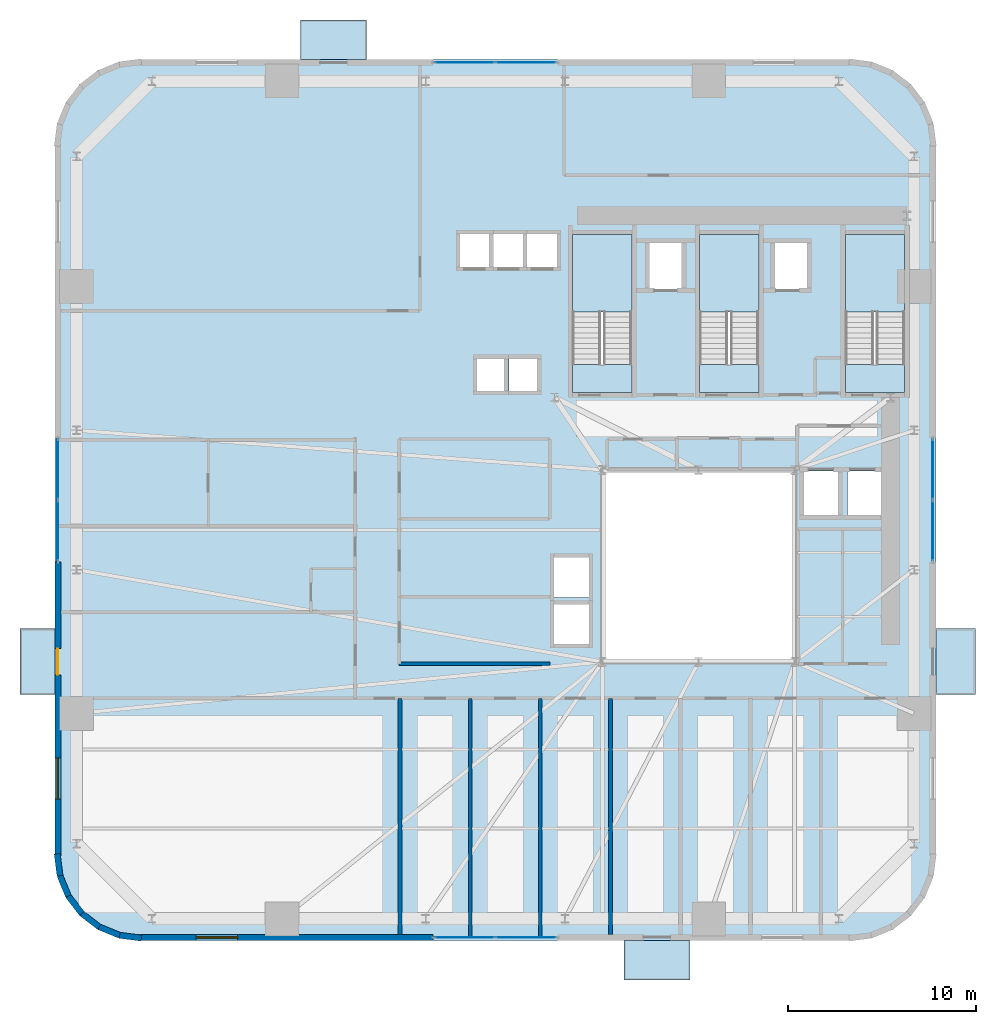
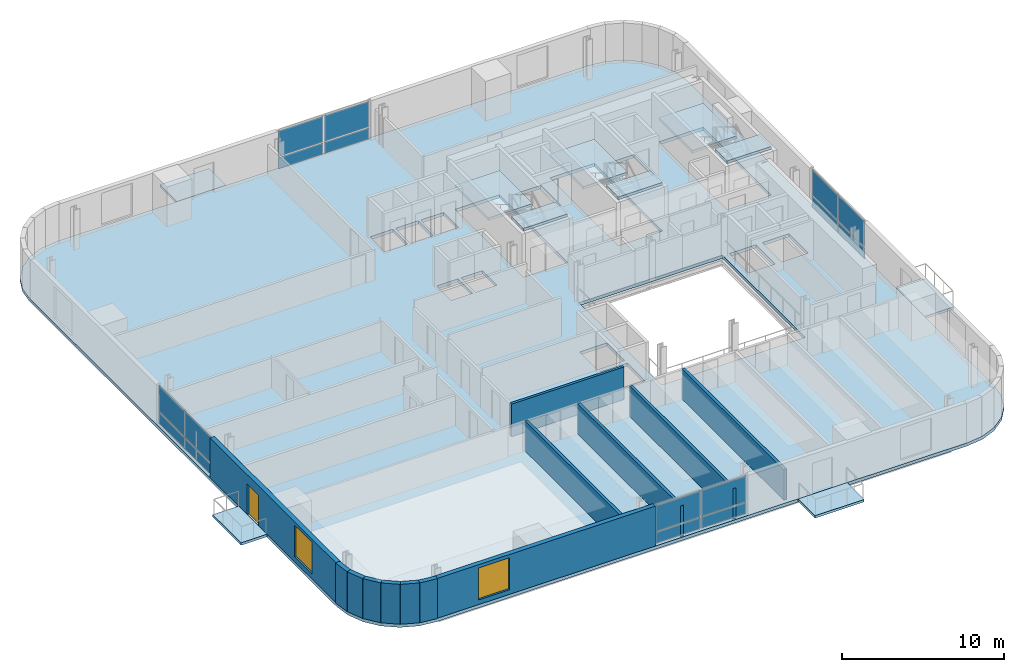
# One storey, part 5 of 13: 16 plates, 13 walls, 11 slabs, 2 windows, 1 door, 3 openings, 7 elements without a shape of their own.
"""IFC4 building model written with IfcOpenShell, lengths in metres."""

from ifc_helpers import new_model, si_unit, direction, frame, frame_2d, origin, origin_2d, place, context, subcontext, project, spatial, polyline, rectangle, outline, extrude, source, transform, mapped, material, layer, layer_set, type_object, element, fill, aggregate, save


model = new_model("IFC4")

# Units and contexts
model_context = context("Model", 3, precision=1e-05, world=origin(), true_north=direction((0.0, 1.0)))
body_context = subcontext(model_context, "Body", "Model", "MODEL_VIEW")
ifc_project = project(units=[si_unit("LENGTHUNIT", "METRE"), si_unit("AREAUNIT", "SQUARE_METRE"), si_unit("VOLUMEUNIT", "CUBIC_METRE"), si_unit("PLANEANGLEUNIT", "RADIAN"), si_unit("MASSUNIT", "GRAM", prefix="KILO")], contexts=[model_context])

# Site, building, storey
site_placement = place(None, origin())
site = spatial("IfcSite", under=ifc_project, at=site_placement, CompositionType="ELEMENT")
building_placement = place(site_placement, origin())
building = spatial("IfcBuilding", under=site, at=building_placement, Name="Vardaveli Station Tower", CompositionType="ELEMENT")
storey_placement = place(building_placement, frame((0.0, 0.0, 89.64990234375)))
storey = spatial("IfcBuildingStorey", under=building, at=storey_placement, Name="L23", CompositionType="ELEMENT", Elevation=89.64990234375)

# Stair, slabs
ifc_material_1 = material(Name="Concrete C40/50", Category="concrete")
stair_type = type_object("IfcStairType", Name="STR-CORE-1500", PredefinedType="HALF_TURN_STAIR", material=ifc_material_1)
stair_1_placement = place(storey_placement, origin())
stair_1 = element("IfcStair", 1, at=stair_1_placement, inside=storey, type_object=stair_type, Name="L23 ST-1", PredefinedType="HALF_TURN_STAIR")
ifc_layer_1 = layer(ifc_material_1, 0.199951171875, Name="Concrete C40/50")
ifc_layer_set_1 = layer_set([ifc_layer_1], Name="Concrete C40/50")
slab_type_1 = type_object("IfcSlabType", Name="SLB-LAND-200", PredefinedType="LANDING", material=ifc_layer_set_1)
slab_1_placement = place(storey_placement, frame((0.0, 0.0, 1.625)))
slab_1 = element("IfcSlab", 2, at=slab_1_placement, type_object=slab_type_1, Name="ST-1 landing 1", PredefinedType="LANDING", context=body_context, shape_type="SweptSolid", body=[
    extrude(outline(polyline([(32.75, 35.199951171875), (32.75, 39.300048828125), (29.60009765625, 39.300048828125), (29.60009765625, 35.199951171875), (32.75, 35.199951171875)])), origin(), (0.0, 0.0, 1.0), 0.2001953125),
])
slab_2_placement = place(storey_placement, frame((0.0, 0.0, 3.4501953125)))
slab_2 = element("IfcSlab", 3, at=slab_2_placement, type_object=slab_type_1, Name="ST-1 landing 2", PredefinedType="LANDING", context=body_context, shape_type="SweptSolid", body=[
    extrude(outline(polyline([(32.75, 30.89990234375), (32.75, 32.39990234375), (29.60009765625, 32.39990234375), (29.60009765625, 30.89990234375), (32.75, 30.89990234375)])), origin(), (0.0, 0.0, 1.0), 0.199951171875),
])
aggregate(stair_1, [slab_1, slab_2])

stair_2_placement = place(storey_placement, origin())
stair_2 = element("IfcStair", 4, at=stair_2_placement, inside=storey, type_object=stair_type, Name="L23 ST-2", PredefinedType="HALF_TURN_STAIR")
slab_3_placement = place(storey_placement, frame((0.0, 0.0, 1.625)))
slab_3 = element("IfcSlab", 5, at=slab_3_placement, type_object=slab_type_1, Name="ST-2 landing 1", PredefinedType="LANDING", context=body_context, shape_type="SweptSolid", body=[
    extrude(outline(polyline([(39.5, 35.199951171875), (39.5, 39.300048828125), (36.35009765625, 39.300048828125), (36.35009765625, 35.199951171875), (39.5, 35.199951171875)])), origin(), (0.0, 0.0, 1.0), 0.2001953125),
])
slab_4_placement = place(storey_placement, frame((0.0, 0.0, 3.4501953125)))
slab_4 = element("IfcSlab", 6, at=slab_4_placement, type_object=slab_type_1, Name="ST-2 landing 2", PredefinedType="LANDING", context=body_context, shape_type="SweptSolid", body=[
    extrude(outline(polyline([(39.5, 30.89990234375), (39.5, 32.39990234375), (36.35009765625, 32.39990234375), (36.35009765625, 30.89990234375), (39.5, 30.89990234375)])), origin(), (0.0, 0.0, 1.0), 0.199951171875),
])
aggregate(stair_2, [slab_3, slab_4])

stair_3_placement = place(storey_placement, origin())
stair_3 = element("IfcStair", 7, at=stair_3_placement, inside=storey, type_object=stair_type, Name="L23 ST-3", PredefinedType="HALF_TURN_STAIR")
slab_5_placement = place(storey_placement, frame((0.0, 0.0, 1.625)))
slab_5 = element("IfcSlab", 8, at=slab_5_placement, type_object=slab_type_1, Name="ST-3 landing 1", PredefinedType="LANDING", context=body_context, shape_type="SweptSolid", body=[
    extrude(outline(polyline([(47.25, 35.199951171875), (47.25, 39.300048828125), (44.10009765625, 39.300048828125), (44.10009765625, 35.199951171875), (47.25, 35.199951171875)])), origin(), (0.0, 0.0, 1.0), 0.2001953125),
])
slab_6_placement = place(storey_placement, frame((0.0, 0.0, 3.4501953125)))
slab_6 = element("IfcSlab", 9, at=slab_6_placement, type_object=slab_type_1, Name="ST-3 landing 2", PredefinedType="LANDING", context=body_context, shape_type="SweptSolid", body=[
    extrude(outline(polyline([(47.25, 30.89990234375), (47.25, 32.39990234375), (44.10009765625, 32.39990234375), (44.10009765625, 30.89990234375), (47.25, 30.89990234375)])), origin(), (0.0, 0.0, 1.0), 0.199951171875),
])
aggregate(stair_3, [slab_5, slab_6])

# Slabs
ifc_material_2 = material(Name="Precast concrete C45/55", Category="concrete")
ifc_layer_2 = layer(ifc_material_2, 0.179931640625, Name="Precast concrete C45/55")
ifc_layer_set_2 = layer_set([ifc_layer_2], Name="Precast concrete C45/55")
slab_type_2 = type_object("IfcSlabType", Name="SLB-LOGGIA-180", PredefinedType="FLOOR", material=ifc_layer_set_2)
slab_7_placement = place(storey_placement, frame((0.0, 0.0, -0.179931640625)))
element("IfcSlab", 10, at=slab_7_placement, inside=storey, type_object=slab_type_2, Name="LOG-L23-S", PredefinedType="FLOOR", context=body_context, shape_type="SweptSolid", body=[
    extrude(outline(polyline([(32.339599609375, -0.300048828125), (35.839599609375, -0.300048828125), (35.839599609375, 1.800048828125), (32.339599609375, 1.800048828125), (32.339599609375, -0.300048828125)])), origin(), (0.0, 0.0, 1.0), 0.179931640625),
])
slab_8_placement = place(storey_placement, frame((0.0, 0.0, -0.179931640625)))
element("IfcSlab", 11, at=slab_8_placement, inside=storey, type_object=slab_type_2, Name="LOG-L23-N", PredefinedType="FLOOR", context=body_context, shape_type="SweptSolid", body=[
    extrude(outline(polyline([(15.160400390625, 48.60009765625), (18.660400390625, 48.60009765625), (18.660400390625, 50.699951171875), (15.160400390625, 50.699951171875), (15.160400390625, 48.60009765625)])), origin(), (0.0, 0.0, 1.0), 0.179931640625),
])
slab_9_placement = place(storey_placement, frame((0.0, 0.0, -0.179931640625)))
element("IfcSlab", 12, at=slab_9_placement, inside=storey, type_object=slab_type_2, Name="LOG-L23-W", PredefinedType="FLOOR", context=body_context, shape_type="SweptSolid", body=[
    extrude(outline(polyline([(0.25, 14.8603515625), (2.10009765625, 14.8603515625), (2.10009765625, 18.3603515625), (0.25, 18.3603515625), (0.25, 14.8603515625)])), origin(), (0.0, 0.0, 1.0), 0.179931640625),
])
slab_10_placement = place(storey_placement, frame((0.0, 0.0, -0.179931640625)))
element("IfcSlab", 13, at=slab_10_placement, inside=storey, type_object=slab_type_2, Name="LOG-L23-E", PredefinedType="FLOOR", context=body_context, shape_type="SweptSolid", body=[
    extrude(outline(polyline([(48.89990234375, 14.8603515625), (51.0, 14.8603515625), (51.0, 18.3603515625), (48.89990234375, 18.3603515625), (48.89990234375, 14.8603515625)])), origin(), (0.0, 0.0, 1.0), 0.179931640625),
])
ifc_layer_3 = layer(ifc_material_1, 0.239990234375, Name="Concrete C40/50")
ifc_layer_set_3 = layer_set([ifc_layer_3], Name="Concrete C40/50")
slab_type_3 = type_object("IfcSlabType", Name="SLB-TOW-240", PredefinedType="FLOOR", material=ifc_layer_set_3)
slab_11_placement = place(storey_placement, frame((0.0, 0.0, -0.239990234375)))
element("IfcSlab", 14, at=slab_11_placement, inside=storey, type_object=slab_type_3, Name="SLB-L23-MAIN", PredefinedType="FLOOR", context=body_context, shape_type="SweptSolid", body=[
    extrude(outline(polyline([(2.10009765625, 6.300048828125), (2.25341796875, 5.13525390625), (2.702880859375, 4.050048828125), (3.41796875, 3.117919921875), (4.35009765625, 2.40283203125), (5.435302734375, 1.953369140625), (6.60009765625, 1.800048828125), (44.39990234375, 1.800048828125), (45.564697265625, 1.953369140625), (46.64990234375, 2.40283203125), (47.58203125, 3.117919921875), (48.297119140625, 4.050048828125), (48.74658203125, 5.13525390625), (48.89990234375, 6.300048828125), (48.89990234375, 44.10009765625), (48.74658203125, 45.2646484375), (48.297119140625, 46.35009765625), (47.58203125, 47.281982421875), (46.64990234375, 47.9970703125), (45.564697265625, 48.44677734375), (44.39990234375, 48.60009765625), (6.60009765625, 48.60009765625), (5.435302734375, 48.44677734375), (4.35009765625, 47.9970703125), (3.41796875, 47.281982421875), (2.702880859375, 46.35009765625), (2.25341796875, 45.2646484375), (2.10009765625, 44.10009765625), (2.10009765625, 6.300048828125)]), holes=[polyline([(31.199951171875, 16.60009765625), (41.39990234375, 16.60009765625), (41.39990234375, 26.800048828125), (31.199951171875, 26.800048828125), (31.199951171875, 16.60009765625)]), polyline([(32.75, 30.89990234375), (32.75, 39.300048828125), (29.60009765625, 39.300048828125), (29.60009765625, 30.89990234375), (32.75, 30.89990234375)]), polyline([(39.5, 30.89990234375), (39.5, 39.300048828125), (36.35009765625, 39.300048828125), (36.35009765625, 30.89990234375), (39.5, 30.89990234375)]), polyline([(47.25, 30.89990234375), (47.25, 39.300048828125), (44.10009765625, 39.300048828125), (44.10009765625, 30.89990234375), (47.25, 30.89990234375)]), polyline([(23.5849609375, 37.534912109375), (25.215087890625, 37.534912109375), (25.215087890625, 39.364990234375), (23.5849609375, 39.364990234375), (23.5849609375, 37.534912109375)]), polyline([(25.385009765625, 37.534912109375), (27.014892578125, 37.534912109375), (27.014892578125, 39.364990234375), (25.385009765625, 39.364990234375), (25.385009765625, 37.534912109375)]), polyline([(27.18505859375, 37.534912109375), (28.81494140625, 37.534912109375), (28.81494140625, 39.364990234375), (27.18505859375, 39.364990234375), (27.18505859375, 37.534912109375)]), polyline([(33.659912109375, 36.409912109375), (35.43994140625, 36.409912109375), (35.43994140625, 38.889892578125), (33.659912109375, 38.889892578125), (33.659912109375, 36.409912109375)]), polyline([(40.31005859375, 36.409912109375), (42.090087890625, 36.409912109375), (42.090087890625, 38.889892578125), (40.31005859375, 38.889892578125), (40.31005859375, 36.409912109375)]), polyline([(24.485107421875, 30.9599609375), (26.014892578125, 30.9599609375), (26.014892578125, 32.739990234375), (24.485107421875, 32.739990234375), (24.485107421875, 30.9599609375)]), polyline([(26.235107421875, 30.9599609375), (27.764892578125, 30.9599609375), (27.764892578125, 32.739990234375), (26.235107421875, 32.739990234375), (26.235107421875, 30.9599609375)]), polyline([(28.5849609375, 17.510009765625), (30.514892578125, 17.510009765625), (30.514892578125, 19.68994140625), (28.5849609375, 19.68994140625), (28.5849609375, 17.510009765625)]), polyline([(28.5849609375, 20.010009765625), (30.514892578125, 20.010009765625), (30.514892578125, 22.18994140625), (28.5849609375, 22.18994140625), (28.5849609375, 20.010009765625)]), polyline([(41.860107421875, 24.360107421875), (43.739990234375, 24.360107421875), (43.739990234375, 26.739990234375), (41.860107421875, 26.739990234375), (41.860107421875, 24.360107421875)]), polyline([(44.2099609375, 24.360107421875), (46.090087890625, 24.360107421875), (46.090087890625, 26.739990234375), (44.2099609375, 26.739990234375), (44.2099609375, 24.360107421875)])]), origin(), (0.0, 0.0, 1.0), 0.239990234375),
])

# Curtain wall, plates
ifc_material_3 = material(Name="Travertine stone and solar-control glass", Category="masonry")
curtain_wall_type = type_object("IfcCurtainWallType", Name="CW-SYS-2", PredefinedType="NOTDEFINED", material=ifc_material_3)
curtain_wall_1_placement = place(storey_placement, origin())
curtain_wall_1 = element("IfcCurtainWall", 15, at=curtain_wall_1_placement, inside=storey, type_object=curtain_wall_type, Name="CW-L23-S", PredefinedType="NOTDEFINED")
ifc_material_4 = material(Name="Double-glazed low-E solar-control glass", Category="glass")
ifc_layer_4 = layer(ifc_material_4, 0.035888671875, Name="Double-glazed low-E solar-control glass")
ifc_layer_set_4 = layer_set([ifc_layer_4], Name="Double-glazed low-E solar-control glass")
plate_type = type_object("IfcPlateType", Name="CW-SYS-2-PAN", PredefinedType="CURTAIN_PANEL", material=ifc_layer_set_4)
shared_shape_1 = source(origin(), body_context, "Body", "SweptSolid", [
    extrude(rectangle(XDim=3.172607421875, YDim=0.035888671875, at=origin_2d()), origin(), (0.0, 0.0, 1.0), 0.822509765625),
])
plate_1_placement = place(storey_placement, frame((23.871337890625, 1.9599609375, 0.0849609375), z_axis=(0.0, 0.0, 1.0), x_axis=(1.0, 0.0, 0.0)))
plate_1 = element("IfcPlate", 16, at=plate_1_placement, type_object=plate_type, Name="CW-2 panel 1.1", PredefinedType="CURTAIN_PANEL", context=body_context, shape_type="MappedRepresentation", body=[
    mapped(shared_shape_1, transform((0.0, 0.0, 0.0), scale=1.0)),
])
plate_2_placement = place(storey_placement, frame((27.128662109375, 1.9599609375, 0.0849609375), z_axis=(0.0, 0.0, 1.0), x_axis=(1.0, 0.0, 0.0)))
plate_2 = element("IfcPlate", 17, at=plate_2_placement, type_object=plate_type, Name="CW-2 panel 2.1", PredefinedType="CURTAIN_PANEL", context=body_context, shape_type="MappedRepresentation", body=[
    mapped(shared_shape_1, transform((0.0, 0.0, 0.0), scale=1.0)),
])

curtain_wall_2_placement = place(storey_placement, origin())
curtain_wall_2 = element("IfcCurtainWall", 18, at=curtain_wall_2_placement, inside=storey, type_object=curtain_wall_type, Name="CW-L23-N", PredefinedType="NOTDEFINED")
plate_3_placement = place(storey_placement, frame((27.128662109375, 48.43994140625, 0.0849609375), z_axis=(0.0, 0.0, 1.0), x_axis=(-1.0, 0.0, 0.0)))
plate_3 = element("IfcPlate", 19, at=plate_3_placement, type_object=plate_type, Name="CW-2 panel 1.1", PredefinedType="CURTAIN_PANEL", context=body_context, shape_type="MappedRepresentation", body=[
    mapped(shared_shape_1, transform((0.0, 0.0, 0.0), scale=1.0)),
])
plate_4_placement = place(storey_placement, frame((23.871337890625, 48.43994140625, 0.0849609375), z_axis=(0.0, 0.0, 1.0), x_axis=(-1.0, 0.0, 0.0)))
plate_4 = element("IfcPlate", 20, at=plate_4_placement, type_object=plate_type, Name="CW-2 panel 2.1", PredefinedType="CURTAIN_PANEL", context=body_context, shape_type="MappedRepresentation", body=[
    mapped(shared_shape_1, transform((0.0, 0.0, 0.0), scale=1.0)),
])

curtain_wall_3_placement = place(storey_placement, origin())
curtain_wall_3 = element("IfcCurtainWall", 21, at=curtain_wall_3_placement, inside=storey, type_object=curtain_wall_type, Name="CW-L23-W", PredefinedType="NOTDEFINED")
plate_5_placement = place(storey_placement, frame((2.260009765625, 26.828857421875, 0.0849609375), z_axis=(0.0, 0.0, 1.0), x_axis=(0.0, -1.0, 0.0)))
plate_5 = element("IfcPlate", 22, at=plate_5_placement, type_object=plate_type, Name="CW-2 panel 1.1", PredefinedType="CURTAIN_PANEL", context=body_context, shape_type="MappedRepresentation", body=[
    mapped(shared_shape_1, transform((0.0, 0.0, 0.0), scale=1.0)),
])
plate_6_placement = place(storey_placement, frame((2.260009765625, 23.5712890625, 0.0849609375), z_axis=(0.0, 0.0, 1.0), x_axis=(0.0, -1.0, 0.0)))
plate_6 = element("IfcPlate", 23, at=plate_6_placement, type_object=plate_type, Name="CW-2 panel 2.1", PredefinedType="CURTAIN_PANEL", context=body_context, shape_type="MappedRepresentation", body=[
    mapped(shared_shape_1, transform((0.0, 0.0, 0.0), scale=1.0)),
])

curtain_wall_4_placement = place(storey_placement, origin())
curtain_wall_4 = element("IfcCurtainWall", 24, at=curtain_wall_4_placement, inside=storey, type_object=curtain_wall_type, Name="CW-L23-E", PredefinedType="NOTDEFINED")
plate_7_placement = place(storey_placement, frame((48.739990234375, 23.5712890625, 0.0849609375), z_axis=(0.0, 0.0, 1.0), x_axis=(0.0, 1.0, 0.0)))
plate_7 = element("IfcPlate", 25, at=plate_7_placement, type_object=plate_type, Name="CW-2 panel 1.1", PredefinedType="CURTAIN_PANEL", context=body_context, shape_type="MappedRepresentation", body=[
    mapped(shared_shape_1, transform((0.0, 0.0, 0.0), scale=1.0)),
])
plate_8_placement = place(storey_placement, frame((48.739990234375, 26.828857421875, 0.0849609375), z_axis=(0.0, 0.0, 1.0), x_axis=(0.0, 1.0, 0.0)))
plate_8 = element("IfcPlate", 26, at=plate_8_placement, type_object=plate_type, Name="CW-2 panel 2.1", PredefinedType="CURTAIN_PANEL", context=body_context, shape_type="MappedRepresentation", body=[
    mapped(shared_shape_1, transform((0.0, 0.0, 0.0), scale=1.0)),
])

# Plate
shared_shape_2 = source(origin(), body_context, "Body", "SweptSolid", [
    extrude(rectangle(XDim=3.172607421875, YDim=0.035888671875, at=origin_2d()), origin(), (0.0, 0.0, 1.0), 1.922607421875),
])
plate_9_placement = place(storey_placement, frame((23.871337890625, 1.9599609375, 0.99267578125), z_axis=(0.0, 0.0, 1.0), x_axis=(1.0, 0.0, 0.0)))
plate_9 = element("IfcPlate", 27, at=plate_9_placement, type_object=plate_type, Name="CW-2 panel 1.2", PredefinedType="CURTAIN_PANEL", context=body_context, shape_type="MappedRepresentation", body=[
    mapped(shared_shape_2, transform((0.0, 0.0, 0.0), scale=1.0)),
])

plate_10_placement = place(storey_placement, frame((27.128662109375, 1.9599609375, 0.99267578125), z_axis=(0.0, 0.0, 1.0), x_axis=(1.0, 0.0, 0.0)))
plate_10 = element("IfcPlate", 28, at=plate_10_placement, type_object=plate_type, Name="CW-2 panel 2.2", PredefinedType="CURTAIN_PANEL", context=body_context, shape_type="MappedRepresentation", body=[
    mapped(shared_shape_2, transform((0.0, 0.0, 0.0), scale=1.0)),
])

aggregate(curtain_wall_1, [plate_1, plate_9, plate_2, plate_10])

plate_11_placement = place(storey_placement, frame((27.128662109375, 48.43994140625, 0.99267578125), z_axis=(0.0, 0.0, 1.0), x_axis=(-1.0, 0.0, 0.0)))
plate_11 = element("IfcPlate", 29, at=plate_11_placement, type_object=plate_type, Name="CW-2 panel 1.2", PredefinedType="CURTAIN_PANEL", context=body_context, shape_type="MappedRepresentation", body=[
    mapped(shared_shape_2, transform((0.0, 0.0, 0.0), scale=1.0)),
])

plate_12_placement = place(storey_placement, frame((23.871337890625, 48.43994140625, 0.99267578125), z_axis=(0.0, 0.0, 1.0), x_axis=(-1.0, 0.0, 0.0)))
plate_12 = element("IfcPlate", 30, at=plate_12_placement, type_object=plate_type, Name="CW-2 panel 2.2", PredefinedType="CURTAIN_PANEL", context=body_context, shape_type="MappedRepresentation", body=[
    mapped(shared_shape_2, transform((0.0, 0.0, 0.0), scale=1.0)),
])

aggregate(curtain_wall_2, [plate_3, plate_11, plate_4, plate_12])

plate_13_placement = place(storey_placement, frame((2.260009765625, 26.828857421875, 0.99267578125), z_axis=(0.0, 0.0, 1.0), x_axis=(0.0, -1.0, 0.0)))
plate_13 = element("IfcPlate", 31, at=plate_13_placement, type_object=plate_type, Name="CW-2 panel 1.2", PredefinedType="CURTAIN_PANEL", context=body_context, shape_type="MappedRepresentation", body=[
    mapped(shared_shape_2, transform((0.0, 0.0, 0.0), scale=1.0)),
])

plate_14_placement = place(storey_placement, frame((2.260009765625, 23.5712890625, 0.99267578125), z_axis=(0.0, 0.0, 1.0), x_axis=(0.0, -1.0, 0.0)))
plate_14 = element("IfcPlate", 32, at=plate_14_placement, type_object=plate_type, Name="CW-2 panel 2.2", PredefinedType="CURTAIN_PANEL", context=body_context, shape_type="MappedRepresentation", body=[
    mapped(shared_shape_2, transform((0.0, 0.0, 0.0), scale=1.0)),
])

aggregate(curtain_wall_3, [plate_5, plate_13, plate_6, plate_14])

plate_15_placement = place(storey_placement, frame((48.739990234375, 23.5712890625, 0.99267578125), z_axis=(0.0, 0.0, 1.0), x_axis=(0.0, 1.0, 0.0)))
plate_15 = element("IfcPlate", 33, at=plate_15_placement, type_object=plate_type, Name="CW-2 panel 1.2", PredefinedType="CURTAIN_PANEL", context=body_context, shape_type="MappedRepresentation", body=[
    mapped(shared_shape_2, transform((0.0, 0.0, 0.0), scale=1.0)),
])

plate_16_placement = place(storey_placement, frame((48.739990234375, 26.828857421875, 0.99267578125), z_axis=(0.0, 0.0, 1.0), x_axis=(0.0, 1.0, 0.0)))
plate_16 = element("IfcPlate", 34, at=plate_16_placement, type_object=plate_type, Name="CW-2 panel 2.2", PredefinedType="CURTAIN_PANEL", context=body_context, shape_type="MappedRepresentation", body=[
    mapped(shared_shape_2, transform((0.0, 0.0, 0.0), scale=1.0)),
])

aggregate(curtain_wall_4, [plate_7, plate_15, plate_8, plate_16])

# Wall, opening, window
ifc_layer_5 = layer(ifc_material_2, 0.320068359375, Name="Precast concrete C45/55")
ifc_layer_set_5 = layer_set([ifc_layer_5], Name="Precast concrete C45/55")
wall_type_1 = type_object("IfcWallType", Name="WAL-EXT-STONE-320", PredefinedType="SOLIDWALL", material=ifc_layer_set_5)
shared_shape_3 = source(origin(), body_context, "Body", "SweptSolid", [
    extrude(rectangle(XDim=15.599853515625, YDim=0.320068359375, at=frame_2d((7.7998046875, 0.0))), origin(), (0.0, 0.0, 1.0), 3.0),
])
wall_1_placement = place(storey_placement, frame((6.60009765625, 1.9599609375, 0.0), z_axis=(0.0, 0.0, 1.0), x_axis=(1.0, 0.0, 0.0)))
wall_1 = element("IfcWall", 35, at=wall_1_placement, inside=storey, type_object=wall_type_1, Name="EW-L23-S1", PredefinedType="SOLIDWALL", context=body_context, shape_type="MappedRepresentation", body=[
    mapped(shared_shape_3, transform((0.0, 0.0, 0.0), scale=1.0)),
])
shared_shape_4 = source(origin(), body_context, "Body", "SweptSolid", [
    extrude(rectangle(XDim=2.199951171875, YDim=2.39990234375, at=frame_2d((1.10009765625, 1.199951171875))), frame((0.0, 0.169921875, 0.0), z_axis=(0.0, -1.0, 0.0), x_axis=(1.0, 0.0, 0.0)), (0.0, 0.0, 1.0), 0.340087890625),
])
opening_1_placement = place(wall_1_placement, frame((3.0048828125, 0.0, 0.35009765625)))
opening_1 = element("IfcOpeningElement", 36, at=opening_1_placement, cuts=wall_1, Name="Opening W-03", PredefinedType="OPENING", context=body_context, shape_type="MappedRepresentation", body=[
    mapped(shared_shape_4, transform((0.0, 0.0, 0.0), scale=1.0)),
])
ifc_material_5 = material(Name="Low-E solar-control glass", Category="glass")
window_type = type_object("IfcWindowType", Name="WIN-LOG-2200x2400", PartitioningType="SINGLE_PANEL", PredefinedType="WINDOW", material=ifc_material_5)
shared_shape_5 = source(origin(), body_context, "Body", "SweptSolid", [
    extrude(rectangle(XDim=2.199951171875, YDim=2.39990234375, at=frame_2d((1.10009765625, 1.199951171875))), frame((0.0, 0.030029296875, 0.0), z_axis=(0.0, -1.0, 0.0), x_axis=(1.0, 0.0, 0.0)), (0.0, 0.0, 1.0), 0.06005859375),
])
window_1_placement = place(opening_1_placement, origin())
window_1 = element("IfcWindow", 37, at=window_1_placement, inside=storey, type_object=window_type, Name="WN-L23-S1", OverallHeight=2.39990234375, OverallWidth=2.199951171875, PartitioningType="SINGLE_PANEL", PredefinedType="WINDOW", context=body_context, shape_type="MappedRepresentation", body=[
    mapped(shared_shape_5, transform((0.0, 0.0, 0.0), scale=1.0)),
])
fill(opening_1, window_1)

# Wall, openings, door, window
wall_2_placement = place(storey_placement, frame((2.260009765625, 21.89990234375, 0.0), z_axis=(0.0, 0.0, 1.0), x_axis=(0.0, -1.0, 0.0)))
wall_2 = element("IfcWall", 38, at=wall_2_placement, inside=storey, type_object=wall_type_1, Name="EW-L23-W2", PredefinedType="SOLIDWALL", context=body_context, shape_type="MappedRepresentation", body=[
    mapped(shared_shape_3, transform((0.0, 0.0, 0.0), scale=1.0)),
])
shared_shape_6 = source(origin(), body_context, "Body", "SweptSolid", [
    extrude(rectangle(XDim=1.39990234375, YDim=2.300048828125, at=frame_2d((0.699951171875, 1.14990234375))), frame((0.0, 0.169921875, 0.0), z_axis=(0.0, -1.0, 0.0), x_axis=(1.0, 0.0, 0.0)), (0.0, 0.0, 1.0), 0.340087890625),
])
opening_2_placement = place(wall_2_placement, frame((4.589599609375, 0.0, 0.0)))
opening_2 = element("IfcOpeningElement", 39, at=opening_2_placement, cuts=wall_2, Name="Opening D-09", PredefinedType="OPENING", context=body_context, shape_type="MappedRepresentation", body=[
    mapped(shared_shape_6, transform((0.0, 0.0, 0.0), scale=1.0)),
])
opening_3_placement = place(wall_2_placement, frame((10.39501953125, 0.0, 0.35009765625)))
opening_3 = element("IfcOpeningElement", 40, at=opening_3_placement, cuts=wall_2, Name="Opening W-03", PredefinedType="OPENING", context=body_context, shape_type="MappedRepresentation", body=[
    mapped(shared_shape_4, transform((0.0, 0.0, 0.0), scale=1.0)),
])
ifc_material_6 = material(Name="Thermally broken aluminium glass", Category="aluminium")
door_type = type_object("IfcDoorType", Name="DR-LOG-1400x2300", OperationType="DOUBLE_DOOR_SLIDING", PredefinedType="DOOR", material=ifc_material_6)
shared_shape_7 = source(origin(), body_context, "Body", "SweptSolid", [
    extrude(rectangle(XDim=1.39990234375, YDim=2.300048828125, at=frame_2d((0.699951171875, 1.14990234375))), frame((0.0, 0.02490234375, 0.0), z_axis=(0.0, -1.0, 0.0), x_axis=(1.0, 0.0, 0.0)), (0.0, 0.0, 1.0), 0.050048828125),
])
door_placement = place(opening_2_placement, frame((1.39990234375, 0.0, 0.0), z_axis=(0.0, 0.0, 1.0), x_axis=(-1.0, 0.0, 0.0)))
door = element("IfcDoor", 41, at=door_placement, inside=storey, type_object=door_type, Name="DLG-L23-W", OperationType="DOUBLE_DOOR_SLIDING", OverallHeight=2.300048828125, OverallWidth=1.39990234375, PredefinedType="DOOR", context=body_context, shape_type="MappedRepresentation", body=[
    mapped(shared_shape_7, transform((0.0, 0.0, 0.0), scale=1.0)),
])
fill(opening_2, door)
window_2_placement = place(opening_3_placement, origin())
window_2 = element("IfcWindow", 42, at=window_2_placement, inside=storey, type_object=window_type, Name="WN-L23-W2", OverallHeight=2.39990234375, OverallWidth=2.199951171875, PartitioningType="SINGLE_PANEL", PredefinedType="WINDOW", context=body_context, shape_type="MappedRepresentation", body=[
    mapped(shared_shape_5, transform((0.0, 0.0, 0.0), scale=1.0)),
])
fill(opening_3, window_2)

# Walls
shared_shape_8 = source(origin(), body_context, "Body", "SweptSolid", [
    extrude(rectangle(XDim=1.170654296875, YDim=0.320068359375, at=frame_2d((0.58544921875, 0.0))), origin(), (0.0, 0.0, 1.0), 3.0),
])
wall_3_placement = place(storey_placement, frame((2.224365234375, 6.400634765625, 0.0), z_axis=(0.0, 0.0, 1.0), x_axis=(0.128269133229, -0.991739395941, 0.0)))
element("IfcWall", 43, at=wall_3_placement, inside=storey, type_object=wall_type_1, Name="EW-L23-CR1-1", PredefinedType="SOLIDWALL", context=body_context, shape_type="MappedRepresentation", body=[
    mapped(shared_shape_8, transform((0.0, 0.0, 0.0), scale=1.0)),
])
shared_shape_9 = source(origin(), body_context, "Body", "SweptSolid", [
    extrude(rectangle(XDim=1.1689453125, YDim=0.320068359375, at=frame_2d((0.58447265625, 0.0))), origin(), (0.0, 0.0, 1.0), 3.0),
])
for number, where, z_axis, x_axis, name in (
    (44, (2.37451171875, 5.23974609375, 0.0), (0.0, 0.0, 1.0), (0.381127904695, -0.924522320046, 0.0), "EW-L23-CR1-2"),
    (45, (2.820068359375, 4.158935546875, 0.0), (0.0, 0.0, 1.0), (0.608387696831, -0.793639975269, 0.0), "EW-L23-CR1-3"),
):
    element("IfcWall", number, at=place(storey_placement, frame(where, z_axis=z_axis, x_axis=x_axis)), inside=storey, type_object=wall_type_1, Name=name, PredefinedType="SOLIDWALL", context=body_context, shape_type="MappedRepresentation", body=[
        mapped(shared_shape_9, transform((0.0, 0.0, 0.0), scale=1.0)),
    ])
shared_shape_10 = source(origin(), body_context, "Body", "SweptSolid", [
    extrude(rectangle(XDim=1.168701171875, YDim=0.320068359375, at=frame_2d((0.58447265625, 0.0))), origin(), (0.0, 0.0, 1.0), 3.0),
])
wall_4_placement = place(storey_placement, frame((3.53125, 3.231201171875, 0.0), z_axis=(0.0, 0.0, 1.0), x_axis=(0.793663520347, -0.608356981114, 0.0)))
element("IfcWall", 46, at=wall_4_placement, inside=storey, type_object=wall_type_1, Name="EW-L23-CR1-4", PredefinedType="SOLIDWALL", context=body_context, shape_type="MappedRepresentation", body=[
    mapped(shared_shape_10, transform((0.0, 0.0, 0.0), scale=1.0)),
])
shared_shape_11 = source(origin(), body_context, "Body", "SweptSolid", [
    extrude(rectangle(XDim=1.16943359375, YDim=0.320068359375, at=frame_2d((0.584716796875, 0.0))), origin(), (0.0, 0.0, 1.0), 3.0),
])
wall_5_placement = place(storey_placement, frame((4.458740234375, 2.520263671875, 0.0), z_axis=(0.0, 0.0, 1.0), x_axis=(0.924479075121, -0.381232789334, 0.0)))
element("IfcWall", 47, at=wall_5_placement, inside=storey, type_object=wall_type_1, Name="EW-L23-CR1-5", PredefinedType="SOLIDWALL", context=body_context, shape_type="MappedRepresentation", body=[
    mapped(shared_shape_11, transform((0.0, 0.0, 0.0), scale=1.0)),
])
shared_shape_12 = source(origin(), body_context, "Body", "SweptSolid", [
    extrude(rectangle(XDim=1.170166015625, YDim=0.320068359375, at=frame_2d((0.5849609375, 0.0))), origin(), (0.0, 0.0, 1.0), 3.0),
])
wall_6_placement = place(storey_placement, frame((5.539794921875, 2.074462890625, 0.0), z_axis=(0.0, 0.0, 1.0), x_axis=(0.991762485493, -0.128090485085, 0.0)))
element("IfcWall", 48, at=wall_6_placement, inside=storey, type_object=wall_type_1, Name="EW-L23-CR1-6", PredefinedType="SOLIDWALL", context=body_context, shape_type="MappedRepresentation", body=[
    mapped(shared_shape_12, transform((0.0, 0.0, 0.0), scale=1.0)),
])
ifc_material_7 = material(Name="Acoustic twin-stud gypsum partition")
ifc_layer_6 = layer(ifc_material_7, 0.199951171875, Name="Acoustic twin-stud gypsum partition")
ifc_layer_set_6 = layer_set([ifc_layer_6], Name="Acoustic twin-stud gypsum partition")
wall_type_2 = type_object("IfcWallType", Name="WAL-PARTY-200", PredefinedType="PARTITIONING", material=ifc_layer_set_6)
shared_shape_13 = source(origin(), body_context, "Body", "SweptSolid", [
    extrude(rectangle(XDim=12.537841796875, YDim=0.199951171875, at=frame_2d((6.26904296875, 0.0))), origin(), (0.0, 0.0, 1.0), 2.276123046875),
])
for number, where, z_axis, x_axis, name in (
    (49, (20.43994140625, 2.1220703125, 0.0), (0.0, 0.0, 1.0), (0.0, 1.0, 0.0), "W-L23-PS1"),
    (50, (31.614013671875, 2.1220703125, 0.0), (0.0, 0.0, 1.0), (0.0, 1.0, 0.0), "W-L23-PS4"),
):
    element("IfcWall", number, at=place(storey_placement, frame(where, z_axis=z_axis, x_axis=x_axis)), inside=storey, type_object=wall_type_2, Name=name, PredefinedType="PARTITIONING", context=body_context, shape_type="MappedRepresentation", body=[
        mapped(shared_shape_13, transform((0.0, 0.0, 0.0), scale=1.0)),
    ])
shared_shape_14 = source(origin(), body_context, "Body", "SweptSolid", [
    extrude(rectangle(XDim=12.72998046875, YDim=0.199951171875, at=frame_2d((6.364990234375, 0.0))), origin(), (0.0, 0.0, 1.0), 2.276123046875),
])
for number, where, z_axis, x_axis, name in (
    (51, (24.1650390625, 1.929931640625, 0.0), (0.0, 0.0, 1.0), (0.0, 1.0, 0.0), "W-L23-PS2"),
    (52, (27.888916015625, 1.929931640625, 0.0), (0.0, 0.0, 1.0), (0.0, 1.0, 0.0), "W-L23-PS3"),
):
    element("IfcWall", number, at=place(storey_placement, frame(where, z_axis=z_axis, x_axis=x_axis)), inside=storey, type_object=wall_type_2, Name=name, PredefinedType="PARTITIONING", context=body_context, shape_type="MappedRepresentation", body=[
        mapped(shared_shape_14, transform((0.0, 0.0, 0.0), scale=1.0)),
    ])
ifc_material_8 = material(Name="Fire-rated gypsum stud partition")
ifc_layer_7 = layer(ifc_material_8, 0.179931640625, Name="Fire-rated gypsum stud partition")
ifc_layer_set_7 = layer_set([ifc_layer_7], Name="Fire-rated gypsum stud partition")
wall_type_3 = type_object("IfcWallType", Name="WAL-CORR-180", PredefinedType="PARTITIONING", material=ifc_layer_set_7)
shared_shape_15 = source(origin(), body_context, "Body", "SweptSolid", [
    extrude(rectangle(XDim=8.010009765625, YDim=0.179931640625, at=frame_2d((4.0048828125, 0.0))), origin(), (0.0, 0.0, 1.0), 2.442138671875),
])
wall_7_placement = place(storey_placement, frame((20.389892578125, 16.5, 0.0), z_axis=(0.0, 0.0, 1.0), x_axis=(1.0, 0.0, 0.0)))
element("IfcWall", 53, at=wall_7_placement, inside=storey, type_object=wall_type_3, Name="W-L23-ATWA-S", PredefinedType="PARTITIONING", context=body_context, shape_type="MappedRepresentation", body=[
    mapped(shared_shape_15, transform((0.0, 0.0, 0.0), scale=1.0)),
])

save(model, "model.ifc")
